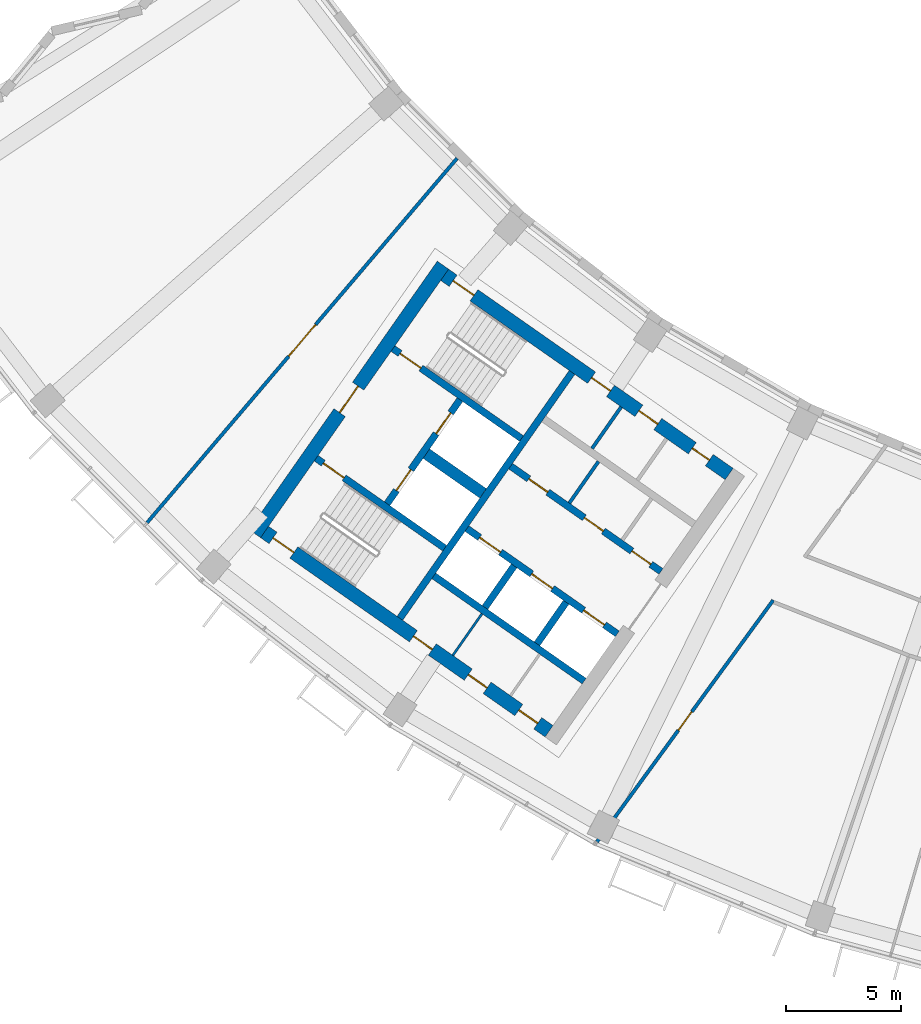
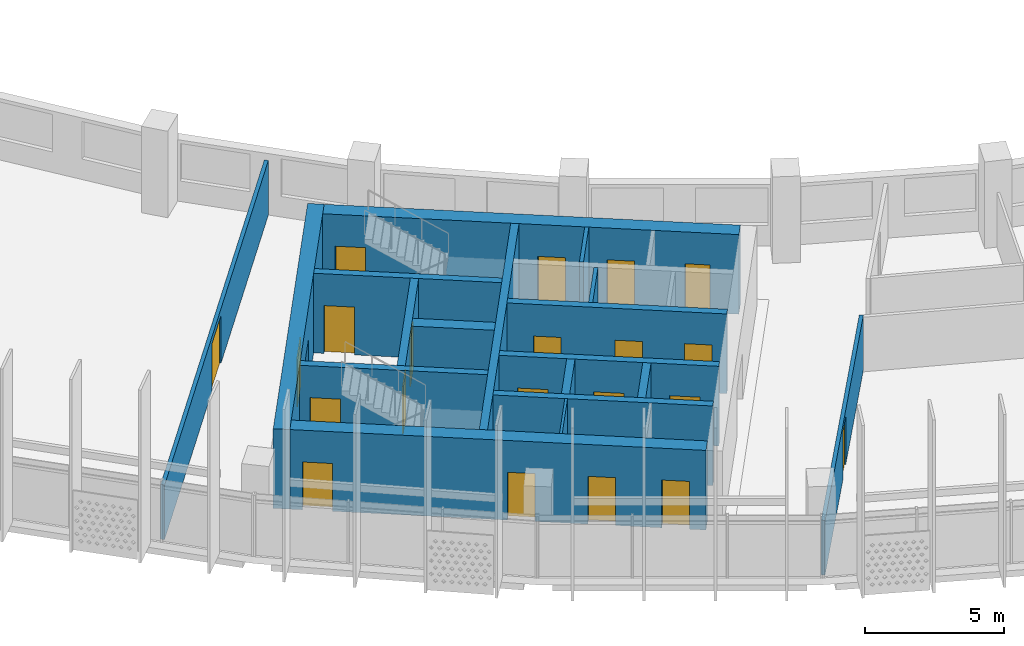
# One storey, part 3 of 28: 21 doors, 18 walls, 21 openings.
"""IFC4 building model written with IfcOpenShell, lengths in metres."""

from ifc_helpers import new_model, si_unit, direction, frame, frame_2d, origin, place, context, subcontext, project, spatial, rectangle, extrude, material, layer, layer_set, type_object, element, fill, save


model = new_model("IFC4")

# Units and contexts
model_context = context("Model", 3, precision=1e-05, world=origin(), true_north=direction((0.0, 1.0)))
body_context = subcontext(model_context, "Body", "Model", "MODEL_VIEW")
ifc_project = project(units=[si_unit("LENGTHUNIT", "METRE"), si_unit("AREAUNIT", "SQUARE_METRE"), si_unit("VOLUMEUNIT", "CUBIC_METRE"), si_unit("PLANEANGLEUNIT", "RADIAN"), si_unit("MASSUNIT", "GRAM", prefix="KILO")], contexts=[model_context])

# Site, building, storey
site_placement = place(None, origin())
site = spatial("IfcSite", under=ifc_project, at=site_placement, CompositionType="ELEMENT")
building_placement = place(site_placement, origin())
building = spatial("IfcBuilding", under=site, at=building_placement, Name="Qamariyya Broadcast Tower", CompositionType="ELEMENT")
storey_placement = place(building_placement, frame((0.0, 0.0, 218.89990234375)))
storey = spatial("IfcBuildingStorey", under=building, at=storey_placement, Name="L52", CompositionType="ELEMENT", Elevation=218.89990234375)

# Wall, opening, door
ifc_material_1 = material(Name="Concrete C60/75", Category="concrete")
ifc_layer_1 = layer(ifc_material_1, 0.60009765625)
ifc_layer_set_1 = layer_set([ifc_layer_1], Name="Core wall 600 mm Concrete C60/75")
wall_type_1 = type_object("IfcWallType", Name="Core wall 600 mm Concrete C60/75", PredefinedType="SHEAR", material=ifc_layer_set_1)
wall_1_placement = place(storey_placement, frame((-49.4833984375, -57.031494140625, 0.0), z_axis=(0.0, 0.0, 1.0), x_axis=(0.573560421458, 0.819163257805, 0.0)))
wall_1 = element("IfcWall", 1, at=wall_1_placement, inside=storey, type_object=wall_type_1, Name="k-W-L52-WH", PredefinedType="SHEAR", context=body_context, shape_type="SweptSolid", body=[
    extrude(rectangle(XDim=14.199951171875, YDim=0.60009765625, at=frame_2d((7.10009765625, 0.0))), origin(), (0.0, 0.0, 1.0), 3.5),
])
opening_1_placement = place(wall_1_placement, frame((6.39990234375, 0.0, 0.0)))
opening_1 = element("IfcOpeningElement", 2, at=opening_1_placement, cuts=wall_1, Name="Opening KD2-W1", PredefinedType="OPENING", context=body_context, shape_type="SweptSolid", body=[
    extrude(rectangle(XDim=1.39990234375, YDim=2.10009765625, at=frame_2d((0.699951171875, 1.050048828125))), frame((0.0, 0.31005859375, 0.0), z_axis=(0.0, -1.0, 0.0), x_axis=(1.0, 0.0, 0.0)), (0.0, 0.0, 1.0), 0.6201171875),
])
ifc_material_2 = material(Name="Steel fire-resisting door leaf", Category="steel")
door_type_1 = type_object("IfcDoorType", Name="Fire-fighting lobby door KD2", OperationType="DOUBLE_DOOR_SINGLE_SWING", PredefinedType="DOOR", material=ifc_material_2)
door_1_placement = place(opening_1_placement, origin())
door_1 = element("IfcDoor", 3, at=door_1_placement, inside=storey, type_object=door_type_1, Name="k-W-L52-WH-D16", OperationType="DOUBLE_DOOR_SINGLE_SWING", OverallHeight=2.10009765625, OverallWidth=1.39990234375, PredefinedType="DOOR", context=body_context, shape_type="SweptSolid", body=[
    extrude(rectangle(XDim=1.39990234375, YDim=2.10009765625, at=frame_2d((0.699951171875, 1.050048828125))), frame((0.0, 0.02490234375, 0.0), z_axis=(0.0, -1.0, 0.0), x_axis=(1.0, 0.0, 0.0)), (0.0, 0.0, 1.0), 0.050048828125),
])
fill(opening_1, door_1)

# Wall, openings, doors
wall_2_placement = place(storey_placement, frame((-28.940673828125, -54.447021484375, 0.0), z_axis=(0.0, 0.0, 1.0), x_axis=(-0.819153391756, 0.573574511963, 0.0)))
wall_2 = element("IfcWall", 4, at=wall_2_placement, inside=storey, type_object=wall_type_1, Name="k-W-L52-WI", PredefinedType="SHEAR", context=body_context, shape_type="SweptSolid", body=[
    extrude(rectangle(XDim=15.04541015625, YDim=0.60009765625, at=frame_2d((7.522705078125, 0.0))), origin(), (0.0, 0.0, 1.0), 3.5),
])
opening_2_placement = place(wall_2_placement, frame((1.050048828125, 0.0, 0.0)))
opening_2 = element("IfcOpeningElement", 5, at=opening_2_placement, cuts=wall_2, Name="Opening KD5-W1", PredefinedType="OPENING", context=body_context, shape_type="SweptSolid", body=[
    extrude(rectangle(XDim=0.89990234375, YDim=2.10009765625, at=frame_2d((0.449951171875, 1.050048828125))), frame((0.0, 0.31005859375, 0.0), z_axis=(0.0, -1.0, 0.0), x_axis=(1.0, 0.0, 0.0)), (0.0, 0.0, 1.0), 0.6201171875),
])
opening_3_placement = place(wall_2_placement, frame((3.77490234375, 0.0, 0.0)))
opening_3 = element("IfcOpeningElement", 6, at=opening_3_placement, cuts=wall_2, Name="Opening KD7-W1", PredefinedType="OPENING", context=body_context, shape_type="SweptSolid", body=[
    extrude(rectangle(XDim=1.0, YDim=2.10009765625, at=frame_2d((0.5, 1.050048828125))), frame((0.0, 0.31005859375, 0.0), z_axis=(0.0, -1.0, 0.0), x_axis=(1.0, 0.0, 0.0)), (0.0, 0.0, 1.0), 0.6201171875),
])
opening_4_placement = place(wall_2_placement, frame((6.27490234375, 0.0, 0.0)))
opening_4 = element("IfcOpeningElement", 7, at=opening_4_placement, cuts=wall_2, Name="Opening KD6-W3", PredefinedType="OPENING", context=body_context, shape_type="SweptSolid", body=[
    extrude(rectangle(XDim=1.0, YDim=2.10009765625, at=frame_2d((0.5, 1.050048828125))), frame((0.0, 0.31005859375, 0.0), z_axis=(0.0, -1.0, 0.0), x_axis=(1.0, 0.0, 0.0)), (0.0, 0.0, 1.0), 0.6201171875),
])
opening_5_placement = place(wall_2_placement, frame((13.495361328125, 0.0, 0.0)))
opening_5 = element("IfcOpeningElement", 8, at=opening_5_placement, cuts=wall_2, Name="Opening KD1-W1", PredefinedType="OPENING", context=body_context, shape_type="SweptSolid", body=[
    extrude(rectangle(XDim=1.10009765625, YDim=2.10009765625, at=frame_2d((0.550048828125, 1.050048828125))), frame((0.0, 0.31005859375, 0.0), z_axis=(0.0, -1.0, 0.0), x_axis=(1.0, 0.0, 0.0)), (0.0, 0.0, 1.0), 0.6201171875),
])
door_type_2 = type_object("IfcDoorType", Name="Accessible toilet door KD7", OperationType="SINGLE_SWING_LEFT", PredefinedType="DOOR", material=ifc_material_2)
door_2_placement = place(opening_3_placement, origin())
door_2 = element("IfcDoor", 9, at=door_2_placement, inside=storey, type_object=door_type_2, Name="k-W-L52-WI-D9", OperationType="SINGLE_SWING_RIGHT", OverallHeight=2.10009765625, OverallWidth=1.0, PredefinedType="DOOR", context=body_context, shape_type="SweptSolid", body=[
    extrude(rectangle(XDim=1.0, YDim=2.10009765625, at=frame_2d((0.5, 1.050048828125))), frame((0.0, 0.02490234375, 0.0), z_axis=(0.0, -1.0, 0.0), x_axis=(1.0, 0.0, 0.0)), (0.0, 0.0, 1.0), 0.050048828125),
])
fill(opening_3, door_2)
door_type_3 = type_object("IfcDoorType", Name="Core room door KD6", OperationType="SINGLE_SWING_LEFT", PredefinedType="DOOR", material=ifc_material_2)
door_3_placement = place(opening_4_placement, origin())
door_3 = element("IfcDoor", 10, at=door_3_placement, inside=storey, type_object=door_type_3, Name="k-W-L52-WI-D10", OperationType="SINGLE_SWING_LEFT", OverallHeight=2.10009765625, OverallWidth=1.0, PredefinedType="DOOR", context=body_context, shape_type="SweptSolid", body=[
    extrude(rectangle(XDim=1.0, YDim=2.10009765625, at=frame_2d((0.5, 1.050048828125))), frame((0.0, 0.02490234375, 0.0), z_axis=(0.0, -1.0, 0.0), x_axis=(1.0, 0.0, 0.0)), (0.0, 0.0, 1.0), 0.050048828125),
])
fill(opening_4, door_3)
door_type_4 = type_object("IfcDoorType", Name="Stair door KD1", OperationType="SINGLE_SWING_LEFT", PredefinedType="DOOR", material=ifc_material_2)
door_4_placement = place(opening_5_placement, origin())
door_4 = element("IfcDoor", 11, at=door_4_placement, inside=storey, type_object=door_type_4, Name="k-W-L52-WI-D17", OperationType="SINGLE_SWING_RIGHT", OverallHeight=2.10009765625, OverallWidth=1.10009765625, PredefinedType="DOOR", context=body_context, shape_type="SweptSolid", body=[
    extrude(rectangle(XDim=1.10009765625, YDim=2.10009765625, at=frame_2d((0.550048828125, 1.050048828125))), frame((0.0, 0.02490234375, 0.0), z_axis=(0.0, -1.0, 0.0), x_axis=(1.0, 0.0, 0.0)), (0.0, 0.0, 1.0), 0.050048828125),
])
fill(opening_5, door_4)
door_type_5 = type_object("IfcDoorType", Name="Toilet door KD5", OperationType="SINGLE_SWING_LEFT", PredefinedType="DOOR", material=ifc_material_2)
door_5_placement = place(opening_2_placement, origin())
door_5 = element("IfcDoor", 12, at=door_5_placement, inside=storey, type_object=door_type_5, Name="k-W-L52-WI-D8", OperationType="SINGLE_SWING_LEFT", OverallHeight=2.10009765625, OverallWidth=0.89990234375, PredefinedType="DOOR", context=body_context, shape_type="SweptSolid", body=[
    extrude(rectangle(XDim=0.89990234375, YDim=2.10009765625, at=frame_2d((0.449951171875, 1.050048828125))), frame((0.0, 0.02490234375, 0.0), z_axis=(0.0, -1.0, 0.0), x_axis=(1.0, 0.0, 0.0)), (0.0, 0.0, 1.0), 0.050048828125),
])
fill(opening_2, door_5)

wall_3_placement = place(storey_placement, frame((-36.7412109375, -65.58740234375, 0.0), z_axis=(0.0, 0.0, 1.0), x_axis=(-0.819153391756, 0.573574511963, 0.0)))
wall_3 = element("IfcWall", 13, at=wall_3_placement, inside=storey, type_object=wall_type_1, Name="k-W-L52-WO", PredefinedType="SHEAR", context=body_context, shape_type="SweptSolid", body=[
    extrude(rectangle(XDim=15.04541015625, YDim=0.60009765625, at=frame_2d((7.522705078125, 0.0))), origin(), (0.0, 0.0, 1.0), 3.5),
])
opening_6_placement = place(wall_3_placement, frame((0.60009765625, 0.0, 0.0)))
opening_6 = element("IfcOpeningElement", 14, at=opening_6_placement, cuts=wall_3, Name="Opening KD4-W2", PredefinedType="OPENING", context=body_context, shape_type="SweptSolid", body=[
    extrude(rectangle(XDim=1.0, YDim=2.10009765625, at=frame_2d((0.5, 1.050048828125))), frame((0.0, 0.31005859375, 0.0), z_axis=(0.0, -1.0, 0.0), x_axis=(1.0, 0.0, 0.0)), (0.0, 0.0, 1.0), 0.6201171875),
])
opening_7_placement = place(wall_3_placement, frame((3.27490234375, 0.0, 0.0)))
opening_7 = element("IfcOpeningElement", 15, at=opening_7_placement, cuts=wall_3, Name="Opening KD4-W3", PredefinedType="OPENING", context=body_context, shape_type="SweptSolid", body=[
    extrude(rectangle(XDim=1.0, YDim=2.10009765625, at=frame_2d((0.5, 1.050048828125))), frame((0.0, 0.31005859375, 0.0), z_axis=(0.0, -1.0, 0.0), x_axis=(1.0, 0.0, 0.0)), (0.0, 0.0, 1.0), 0.6201171875),
])
opening_8_placement = place(wall_3_placement, frame((6.175048828125, 0.0, 0.0)))
opening_8 = element("IfcOpeningElement", 16, at=opening_8_placement, cuts=wall_3, Name="Opening KD4-W4", PredefinedType="OPENING", context=body_context, shape_type="SweptSolid", body=[
    extrude(rectangle(XDim=1.0, YDim=2.10009765625, at=frame_2d((0.5, 1.050048828125))), frame((0.0, 0.31005859375, 0.0), z_axis=(0.0, -1.0, 0.0), x_axis=(1.0, 0.0, 0.0)), (0.0, 0.0, 1.0), 0.6201171875),
])
opening_9_placement = place(wall_3_placement, frame((13.495361328125, 0.0, 0.0)))
opening_9 = element("IfcOpeningElement", 17, at=opening_9_placement, cuts=wall_3, Name="Opening KD1-W3", PredefinedType="OPENING", context=body_context, shape_type="SweptSolid", body=[
    extrude(rectangle(XDim=1.10009765625, YDim=2.10009765625, at=frame_2d((0.550048828125, 1.050048828125))), frame((0.0, 0.31005859375, 0.0), z_axis=(0.0, -1.0, 0.0), x_axis=(1.0, 0.0, 0.0)), (0.0, 0.0, 1.0), 0.6201171875),
])
door_type_6 = type_object("IfcDoorType", Name="Riser and plant door KD4", OperationType="SINGLE_SWING_LEFT", PredefinedType="DOOR", material=ifc_material_2)
door_6_placement = place(opening_6_placement, origin())
door_6 = element("IfcDoor", 18, at=door_6_placement, inside=storey, type_object=door_type_6, Name="k-W-L52-WO-D11", OperationType="SINGLE_SWING_RIGHT", OverallHeight=2.10009765625, OverallWidth=1.0, PredefinedType="DOOR", context=body_context, shape_type="SweptSolid", body=[
    extrude(rectangle(XDim=1.0, YDim=2.10009765625, at=frame_2d((0.5, 1.050048828125))), frame((0.0, 0.02490234375, 0.0), z_axis=(0.0, -1.0, 0.0), x_axis=(1.0, 0.0, 0.0)), (0.0, 0.0, 1.0), 0.050048828125),
])
fill(opening_6, door_6)
door_7_placement = place(opening_7_placement, origin())
door_7 = element("IfcDoor", 19, at=door_7_placement, inside=storey, type_object=door_type_6, Name="k-W-L52-WO-D12", OperationType="SINGLE_SWING_LEFT", OverallHeight=2.10009765625, OverallWidth=1.0, PredefinedType="DOOR", context=body_context, shape_type="SweptSolid", body=[
    extrude(rectangle(XDim=1.0, YDim=2.10009765625, at=frame_2d((0.5, 1.050048828125))), frame((0.0, 0.02490234375, 0.0), z_axis=(0.0, -1.0, 0.0), x_axis=(1.0, 0.0, 0.0)), (0.0, 0.0, 1.0), 0.050048828125),
])
fill(opening_7, door_7)
door_8_placement = place(opening_8_placement, origin())
door_8 = element("IfcDoor", 20, at=door_8_placement, inside=storey, type_object=door_type_6, Name="k-W-L52-WO-D13", OperationType="SINGLE_SWING_RIGHT", OverallHeight=2.10009765625, OverallWidth=1.0, PredefinedType="DOOR", context=body_context, shape_type="SweptSolid", body=[
    extrude(rectangle(XDim=1.0, YDim=2.10009765625, at=frame_2d((0.5, 1.050048828125))), frame((0.0, 0.02490234375, 0.0), z_axis=(0.0, -1.0, 0.0), x_axis=(1.0, 0.0, 0.0)), (0.0, 0.0, 1.0), 0.050048828125),
])
fill(opening_8, door_8)
door_9_placement = place(opening_9_placement, origin())
door_9 = element("IfcDoor", 21, at=door_9_placement, inside=storey, type_object=door_type_4, Name="k-W-L52-WO-D19", OperationType="SINGLE_SWING_LEFT", OverallHeight=2.10009765625, OverallWidth=1.10009765625, PredefinedType="DOOR", context=body_context, shape_type="SweptSolid", body=[
    extrude(rectangle(XDim=1.10009765625, YDim=2.10009765625, at=frame_2d((0.550048828125, 1.050048828125))), frame((0.0, 0.02490234375, 0.0), z_axis=(0.0, -1.0, 0.0), x_axis=(1.0, 0.0, 0.0)), (0.0, 0.0, 1.0), 0.050048828125),
])
fill(opening_9, door_9)

# Wall, opening, door
ifc_material_3 = material(Name="Gypsum board partition")
ifc_layer_2 = layer(ifc_material_3, 0.14990234375)
ifc_layer_set_2 = layer_set([ifc_layer_2], Name="Corridor partition 150 EI 60")
wall_type_2 = type_object("IfcWallType", Name="Corridor partition 150 EI 60", PredefinedType="PARTITIONING", material=ifc_layer_set_2)
wall_4_placement = place(storey_placement, frame((-54.15283203125, -56.554931640625, 0.0), z_axis=(0.0, 0.0, 1.0), x_axis=(0.647962636986, 0.761672121762, 0.0)))
wall_4 = element("IfcWall", 22, at=wall_4_placement, inside=storey, type_object=wall_type_2, Name="Partition L52-001", PredefinedType="PARTITIONING", context=body_context, shape_type="SweptSolid", body=[
    extrude(rectangle(XDim=20.723388671875, YDim=0.14990234375, at=frame_2d((10.36181640625, 0.0))), origin(), (0.0, 0.0, 1.0), 2.400146484375),
])
opening_10_placement = place(wall_4_placement, frame((9.461669921875, 0.0, 0.0)))
opening_10 = element("IfcOpeningElement", 23, at=opening_10_placement, cuts=wall_4, Name="Opening L52-D15", PredefinedType="OPENING", context=body_context, shape_type="SweptSolid", body=[
    extrude(rectangle(XDim=1.800048828125, YDim=2.10009765625, at=frame_2d((0.89990234375, 1.050048828125))), frame((0.0, 0.0849609375, 0.0), z_axis=(0.0, -1.0, 0.0), x_axis=(1.0, 0.0, 0.0)), (0.0, 0.0, 1.0), 0.169921875),
])
ifc_material_4 = material(Name="Timber fire door leaf", Category="wood")
door_type_7 = type_object("IfcDoorType", Name="Double fire door 1800 x 2100 FD60", OperationType="NOTDEFINED", PredefinedType="DOOR", material=ifc_material_4)
door_10_placement = place(opening_10_placement, origin())
door_10 = element("IfcDoor", 24, at=door_10_placement, inside=storey, type_object=door_type_7, Name="Door L52-D15", OperationType="DOUBLE_DOOR_SINGLE_SWING", OverallHeight=2.10009765625, OverallWidth=1.800048828125, PredefinedType="DOOR", context=body_context, shape_type="SweptSolid", body=[
    extrude(rectangle(XDim=1.800048828125, YDim=2.10009765625, at=frame_2d((0.89990234375, 1.050048828125))), frame((0.0, 0.02490234375, 0.0), z_axis=(0.0, -1.0, 0.0), x_axis=(1.0, 0.0, 0.0)), (0.0, 0.0, 1.0), 0.050048828125),
])
fill(opening_10, door_10)

wall_5_placement = place(storey_placement, frame((-27.033447265625, -59.90966796875, 0.0), z_axis=(0.0, 0.0, 1.0), x_axis=(-0.589273648147, -0.807933516819, 0.0)))
wall_5 = element("IfcWall", 25, at=wall_5_placement, inside=storey, type_object=wall_type_2, Name="Partition L52-002", PredefinedType="PARTITIONING", context=body_context, shape_type="SweptSolid", body=[
    extrude(rectangle(XDim=12.956298828125, YDim=0.14990234375, at=frame_2d((6.47802734375, 0.0))), origin(), (0.0, 0.0, 1.0), 2.400146484375),
])
opening_11_placement = place(wall_5_placement, frame((5.97802734375, 0.0, 0.0)))
opening_11 = element("IfcOpeningElement", 26, at=opening_11_placement, cuts=wall_5, Name="Opening L52-D01", PredefinedType="OPENING", context=body_context, shape_type="SweptSolid", body=[
    extrude(rectangle(XDim=1.0, YDim=2.10009765625, at=frame_2d((0.5, 1.050048828125))), frame((0.0, 0.0849609375, 0.0), z_axis=(0.0, -1.0, 0.0), x_axis=(1.0, 0.0, 0.0)), (0.0, 0.0, 1.0), 0.169921875),
])
door_type_8 = type_object("IfcDoorType", Name="Fire door 1000 x 2100 FD60", OperationType="NOTDEFINED", PredefinedType="DOOR", material=ifc_material_4)
door_11_placement = place(opening_11_placement, origin())
door_11 = element("IfcDoor", 27, at=door_11_placement, inside=storey, type_object=door_type_8, Name="Door L52-D01", OperationType="SINGLE_SWING_RIGHT", OverallHeight=2.10009765625, OverallWidth=1.0, PredefinedType="DOOR", context=body_context, shape_type="SweptSolid", body=[
    extrude(rectangle(XDim=1.0, YDim=2.10009765625, at=frame_2d((0.5, 1.050048828125))), frame((0.0, 0.02490234375, 0.0), z_axis=(0.0, -1.0, 0.0), x_axis=(1.0, 0.0, 0.0)), (0.0, 0.0, 1.0), 0.050048828125),
])
fill(opening_11, door_11)

# Walls
ifc_layer_3 = layer(ifc_material_1, 0.5)
ifc_layer_set_3 = layer_set([ifc_layer_3], Name="Fire-fighting lobby divider wall 500 mm Concrete C60/75")
wall_type_3 = type_object("IfcWallType", Name="Fire-fighting lobby divider wall 500 mm Concrete C60/75", PredefinedType="SOLIDWALL", material=ifc_layer_set_3)
wall_6_placement = place(storey_placement, frame((-39.59912109375, -55.28515625, 0.0), z_axis=(0.0, 0.0, 1.0), x_axis=(-0.819136323161, 0.573598887793, 0.0)))
element("IfcWall", 28, at=wall_6_placement, inside=storey, type_object=wall_type_3, Name="k-W-L52-FD", PredefinedType="SOLIDWALL", context=body_context, shape_type="SweptSolid", body=[
    extrude(rectangle(XDim=2.999755859375, YDim=0.5, at=frame_2d((1.5, 0.0))), origin(), (0.0, 0.0, 1.0), 3.5),
])
ifc_material_5 = material(Name="Gypsum board partition on steel studs", Category="steel")
ifc_layer_4 = layer(ifc_material_5, 0.14990234375)
ifc_layer_set_4 = layer_set([ifc_layer_4], Name="Gypsum board partition 150 mm")
wall_type_4 = type_object("IfcWallType", Name="Gypsum board partition 150 mm", PredefinedType="PARTITIONING", material=ifc_layer_set_4)
wall_7_placement = place(storey_placement, frame((-35.86328125, -55.70361328125, 0.0), z_axis=(0.0, 0.0, 1.0), x_axis=(0.573507030513, 0.819200638399, 0.0)))
element("IfcWall", 29, at=wall_7_placement, inside=storey, type_object=wall_type_4, Name="k-W-L52-NC495", PredefinedType="PARTITIONING", context=body_context, shape_type="SweptSolid", body=[
    extrude(rectangle(XDim=2.199951171875, YDim=0.14990234375, at=frame_2d((1.10009765625, 0.0))), origin(), (0.0, 0.0, 1.0), 3.5),
])
wall_8_placement = place(storey_placement, frame((-34.8798828125, -53.340087890625, 0.0), z_axis=(0.0, 0.0, 1.0), x_axis=(0.573559170999, 0.819164133348, 0.0)))
element("IfcWall", 30, at=wall_8_placement, inside=storey, type_object=wall_type_4, Name="k-W-L52-NP550", PredefinedType="PARTITIONING", context=body_context, shape_type="SweptSolid", body=[
    extrude(rectangle(XDim=2.19970703125, YDim=0.14990234375, at=frame_2d((1.099853515625, 0.0))), origin(), (0.0, 0.0, 1.0), 3.5),
])
ifc_layer_5 = layer(ifc_material_1, 0.300048828125)
ifc_layer_set_5 = layer_set([ifc_layer_5], Name="Lift shaft wall 300 mm Concrete C60/75")
wall_type_5 = type_object("IfcWallType", Name="Lift shaft wall 300 mm Concrete C60/75", PredefinedType="SOLIDWALL", material=ifc_layer_set_5)
wall_9_placement = place(storey_placement, frame((-43.204345703125, -60.69580078125, 0.0), z_axis=(0.0, 0.0, 1.0), x_axis=(0.573571992966, 0.819155155563, 0.0)))
element("IfcWall", 31, at=wall_9_placement, inside=storey, type_object=wall_type_5, Name="k-W-L52-WL", PredefinedType="SOLIDWALL", context=body_context, shape_type="SweptSolid", body=[
    extrude(rectangle(XDim=13.000244140625, YDim=0.300048828125, at=frame_2d((6.5, 0.0))), origin(), (0.0, 0.0, 1.0), 3.5),
])

# Wall, openings, doors
wall_10_placement = place(storey_placement, frame((-31.89453125, -58.66552734375, 0.0), z_axis=(0.0, 0.0, 1.0), x_axis=(-0.819166993208, 0.573555086491, 0.0)))
wall_10 = element("IfcWall", 32, at=wall_10_placement, inside=storey, type_object=wall_type_5, Name="k-W-L52-NF0", PredefinedType="SOLIDWALL", context=body_context, shape_type="SweptSolid", body=[
    extrude(rectangle(XDim=7.9501953125, YDim=0.300048828125, at=frame_2d((3.97509765625, 0.0))), origin(), (0.0, 0.0, 1.0), 3.5),
])
opening_12_placement = place(wall_10_placement, frame((0.53759765625, 0.0, 0.0)))
opening_12 = element("IfcOpeningElement", 33, at=opening_12_placement, cuts=wall_10, Name="Opening KD6-W1", PredefinedType="OPENING", context=body_context, shape_type="SweptSolid", body=[
    extrude(rectangle(XDim=1.0, YDim=2.10009765625, at=frame_2d((0.5, 1.050048828125))), frame((0.0, 0.159912109375, 0.0), z_axis=(0.0, -1.0, 0.0), x_axis=(1.0, 0.0, 0.0)), (0.0, 0.0, 1.0), 0.320068359375),
])
opening_13_placement = place(wall_10_placement, frame((3.050048828125, 0.0, 0.0)))
opening_13 = element("IfcOpeningElement", 34, at=opening_13_placement, cuts=wall_10, Name="Opening KD6-W2", PredefinedType="OPENING", context=body_context, shape_type="SweptSolid", body=[
    extrude(rectangle(XDim=1.0, YDim=2.10009765625, at=frame_2d((0.5, 1.050048828125))), frame((0.0, 0.159912109375, 0.0), z_axis=(0.0, -1.0, 0.0), x_axis=(1.0, 0.0, 0.0)), (0.0, 0.0, 1.0), 0.320068359375),
])
opening_14_placement = place(wall_10_placement, frame((5.987548828125, 0.0, 0.0)))
opening_14 = element("IfcOpeningElement", 35, at=opening_14_placement, cuts=wall_10, Name="Opening KD4-W1", PredefinedType="OPENING", context=body_context, shape_type="SweptSolid", body=[
    extrude(rectangle(XDim=1.0, YDim=2.10009765625, at=frame_2d((0.5, 1.050048828125))), frame((0.0, 0.159912109375, 0.0), z_axis=(0.0, -1.0, 0.0), x_axis=(1.0, 0.0, 0.0)), (0.0, 0.0, 1.0), 0.320068359375),
])
door_12_placement = place(opening_12_placement, origin())
door_12 = element("IfcDoor", 36, at=door_12_placement, inside=storey, type_object=door_type_3, Name="k-W-L52-NF0-D2", OperationType="SINGLE_SWING_LEFT", OverallHeight=2.10009765625, OverallWidth=1.0, PredefinedType="DOOR", context=body_context, shape_type="SweptSolid", body=[
    extrude(rectangle(XDim=1.0, YDim=2.10009765625, at=frame_2d((0.5, 1.050048828125))), frame((0.0, 0.02490234375, 0.0), z_axis=(0.0, -1.0, 0.0), x_axis=(1.0, 0.0, 0.0)), (0.0, 0.0, 1.0), 0.050048828125),
])
fill(opening_12, door_12)
door_13_placement = place(opening_13_placement, origin())
door_13 = element("IfcDoor", 37, at=door_13_placement, inside=storey, type_object=door_type_3, Name="k-W-L52-NF0-D3", OperationType="SINGLE_SWING_RIGHT", OverallHeight=2.10009765625, OverallWidth=1.0, PredefinedType="DOOR", context=body_context, shape_type="SweptSolid", body=[
    extrude(rectangle(XDim=1.0, YDim=2.10009765625, at=frame_2d((0.5, 1.050048828125))), frame((0.0, 0.02490234375, 0.0), z_axis=(0.0, -1.0, 0.0), x_axis=(1.0, 0.0, 0.0)), (0.0, 0.0, 1.0), 0.050048828125),
])
fill(opening_13, door_13)
door_14_placement = place(opening_14_placement, origin())
door_14 = element("IfcDoor", 38, at=door_14_placement, inside=storey, type_object=door_type_6, Name="k-W-L52-NF0-D4", OperationType="SINGLE_SWING_LEFT", OverallHeight=2.10009765625, OverallWidth=1.0, PredefinedType="DOOR", context=body_context, shape_type="SweptSolid", body=[
    extrude(rectangle(XDim=1.0, YDim=2.10009765625, at=frame_2d((0.5, 1.050048828125))), frame((0.0, 0.02490234375, 0.0), z_axis=(0.0, -1.0, 0.0), x_axis=(1.0, 0.0, 0.0)), (0.0, 0.0, 1.0), 0.050048828125),
])
fill(opening_14, door_14)

wall_11_placement = place(storey_placement, frame((-33.787353515625, -61.368896484375, 0.0), z_axis=(0.0, 0.0, 1.0), x_axis=(-0.819152564888, 0.573575692858, 0.0)))
wall_11 = element("IfcWall", 39, at=wall_11_placement, inside=storey, type_object=wall_type_5, Name="k-W-L52-SF0", PredefinedType="SOLIDWALL", context=body_context, shape_type="SweptSolid", body=[
    extrude(rectangle(XDim=7.9501953125, YDim=0.300048828125, at=frame_2d((3.97509765625, 0.0))), origin(), (0.0, 0.0, 1.0), 3.5),
])
opening_15_placement = place(wall_11_placement, frame((0.675048828125, 0.0, 0.0)))
opening_15 = element("IfcOpeningElement", 40, at=opening_15_placement, cuts=wall_11, Name="Opening LD", PredefinedType="OPENING", context=body_context, shape_type="SweptSolid", body=[
    extrude(rectangle(XDim=1.10009765625, YDim=2.10009765625, at=frame_2d((0.550048828125, 1.050048828125))), frame((0.0, 0.159912109375, 0.0), z_axis=(0.0, -1.0, 0.0), x_axis=(1.0, 0.0, 0.0)), (0.0, 0.0, 1.0), 0.320068359375),
])
opening_16_placement = place(wall_11_placement, frame((3.425048828125, 0.0, 0.0)))
opening_16 = element("IfcOpeningElement", 41, at=opening_16_placement, cuts=wall_11, Name="Opening LD", PredefinedType="OPENING", context=body_context, shape_type="SweptSolid", body=[
    extrude(rectangle(XDim=1.10009765625, YDim=2.10009765625, at=frame_2d((0.550048828125, 1.050048828125))), frame((0.0, 0.159912109375, 0.0), z_axis=(0.0, -1.0, 0.0), x_axis=(1.0, 0.0, 0.0)), (0.0, 0.0, 1.0), 0.320068359375),
])
opening_17_placement = place(wall_11_placement, frame((6.175048828125, 0.0, 0.0)))
opening_17 = element("IfcOpeningElement", 42, at=opening_17_placement, cuts=wall_11, Name="Opening LD", PredefinedType="OPENING", context=body_context, shape_type="SweptSolid", body=[
    extrude(rectangle(XDim=1.10009765625, YDim=2.10009765625, at=frame_2d((0.550048828125, 1.050048828125))), frame((0.0, 0.159912109375, 0.0), z_axis=(0.0, -1.0, 0.0), x_axis=(1.0, 0.0, 0.0)), (0.0, 0.0, 1.0), 0.320068359375),
])
door_type_9 = type_object("IfcDoorType", Name="Lift landing door LD", OperationType="DOUBLE_DOOR_SLIDING", PredefinedType="DOOR", material=ifc_material_2)
door_15_placement = place(opening_15_placement, origin())
door_15 = element("IfcDoor", 43, at=door_15_placement, inside=storey, type_object=door_type_9, Name="k-W-L52-SF0-D5", OperationType="DOUBLE_DOOR_SLIDING", OverallHeight=2.10009765625, OverallWidth=1.10009765625, PredefinedType="DOOR", context=body_context, shape_type="SweptSolid", body=[
    extrude(rectangle(XDim=1.10009765625, YDim=2.10009765625, at=frame_2d((0.550048828125, 1.050048828125))), frame((0.0, 0.02490234375, 0.0), z_axis=(0.0, -1.0, 0.0), x_axis=(1.0, 0.0, 0.0)), (0.0, 0.0, 1.0), 0.050048828125),
])
fill(opening_15, door_15)
door_16_placement = place(opening_16_placement, origin())
door_16 = element("IfcDoor", 44, at=door_16_placement, inside=storey, type_object=door_type_9, Name="k-W-L52-SF0-D6", OperationType="DOUBLE_DOOR_SLIDING", OverallHeight=2.10009765625, OverallWidth=1.10009765625, PredefinedType="DOOR", context=body_context, shape_type="SweptSolid", body=[
    extrude(rectangle(XDim=1.10009765625, YDim=2.10009765625, at=frame_2d((0.550048828125, 1.050048828125))), frame((0.0, 0.02490234375, 0.0), z_axis=(0.0, -1.0, 0.0), x_axis=(1.0, 0.0, 0.0)), (0.0, 0.0, 1.0), 0.050048828125),
])
fill(opening_16, door_16)
door_17_placement = place(opening_17_placement, origin())
door_17 = element("IfcDoor", 45, at=door_17_placement, inside=storey, type_object=door_type_9, Name="k-W-L52-SF0-D7", OperationType="DOUBLE_DOOR_SLIDING", OverallHeight=2.10009765625, OverallWidth=1.10009765625, PredefinedType="DOOR", context=body_context, shape_type="SweptSolid", body=[
    extrude(rectangle(XDim=1.10009765625, YDim=2.10009765625, at=frame_2d((0.550048828125, 1.050048828125))), frame((0.0, 0.02490234375, 0.0), z_axis=(0.0, -1.0, 0.0), x_axis=(1.0, 0.0, 0.0)), (0.0, 0.0, 1.0), 0.050048828125),
])
fill(opening_17, door_17)

# Walls
wall_12_placement = place(storey_placement, frame((-35.22119140625, -63.41650390625, 0.0), z_axis=(0.0, 0.0, 1.0), x_axis=(-0.819166993208, 0.573555086491, 0.0)))
element("IfcWall", 46, at=wall_12_placement, inside=storey, type_object=wall_type_5, Name="k-W-L52-SB0", PredefinedType="SOLIDWALL", context=body_context, shape_type="SweptSolid", body=[
    extrude(rectangle(XDim=7.9501953125, YDim=0.300048828125, at=frame_2d((3.97509765625, 0.0))), origin(), (0.0, 0.0, 1.0), 3.5),
])
wall_13_placement = place(storey_placement, frame((-36.003173828125, -60.000244140625, 0.0), z_axis=(0.0, 0.0, 1.0), x_axis=(-0.573581496053, -0.819148501424, 0.0)))
element("IfcWall", 47, at=wall_13_placement, inside=storey, type_object=wall_type_5, Name="k-W-L52-SD0", PredefinedType="SOLIDWALL", context=body_context, shape_type="SweptSolid", body=[
    extrude(rectangle(XDim=2.2001953125, YDim=0.300048828125, at=frame_2d((1.10009765625, 0.0))), origin(), (0.0, 0.0, 1.0), 3.5),
])
wall_14_placement = place(storey_placement, frame((-38.255859375, -58.423095703125, 0.0), z_axis=(0.0, 0.0, 1.0), x_axis=(-0.573633636671, -0.819111989218, 0.0)))
element("IfcWall", 48, at=wall_14_placement, inside=storey, type_object=wall_type_5, Name="k-W-L52-SD1", PredefinedType="SOLIDWALL", context=body_context, shape_type="SweptSolid", body=[
    extrude(rectangle(XDim=2.199951171875, YDim=0.300048828125, at=frame_2d((1.10009765625, 0.0))), origin(), (0.0, 0.0, 1.0), 3.5),
])

# Wall, opening, door
wall_15_placement = place(storey_placement, frame((-37.935546875, -52.90966796875, 0.0), z_axis=(0.0, 0.0, 1.0), x_axis=(-0.819147518138, 0.57358290031, 0.0)))
wall_15 = element("IfcWall", 49, at=wall_15_placement, inside=storey, type_object=wall_type_5, Name="k-W-L52-NW", PredefinedType="SOLIDWALL", context=body_context, shape_type="SweptSolid", body=[
    extrude(rectangle(XDim=6.79541015625, YDim=0.300048828125, at=frame_2d((3.397705078125, 0.0))), origin(), (0.0, 0.0, 1.0), 3.5),
])
opening_18_placement = place(wall_15_placement, frame((5.3203125, 0.0, 0.0)))
opening_18 = element("IfcOpeningElement", 50, at=opening_18_placement, cuts=wall_15, Name="Opening KD1-W2", PredefinedType="OPENING", context=body_context, shape_type="SweptSolid", body=[
    extrude(rectangle(XDim=1.10009765625, YDim=2.10009765625, at=frame_2d((0.550048828125, 1.050048828125))), frame((0.0, 0.159912109375, 0.0), z_axis=(0.0, -1.0, 0.0), x_axis=(1.0, 0.0, 0.0)), (0.0, 0.0, 1.0), 0.320068359375),
])
door_18_placement = place(opening_18_placement, origin())
door_18 = element("IfcDoor", 51, at=door_18_placement, inside=storey, type_object=door_type_4, Name="k-W-L52-NW-D18", OperationType="SINGLE_SWING_LEFT", OverallHeight=2.10009765625, OverallWidth=1.10009765625, PredefinedType="DOOR", context=body_context, shape_type="SweptSolid", body=[
    extrude(rectangle(XDim=1.10009765625, YDim=2.10009765625, at=frame_2d((0.550048828125, 1.050048828125))), frame((0.0, 0.02490234375, 0.0), z_axis=(0.0, -1.0, 0.0), x_axis=(1.0, 0.0, 0.0)), (0.0, 0.0, 1.0), 0.050048828125),
])
fill(opening_18, door_18)

wall_16_placement = place(storey_placement, frame((-41.262451171875, -57.66064453125, 0.0), z_axis=(0.0, 0.0, 1.0), x_axis=(-0.819164398642, 0.573558792102, 0.0)))
wall_16 = element("IfcWall", 52, at=wall_16_placement, inside=storey, type_object=wall_type_5, Name="k-W-L52-SW", PredefinedType="SOLIDWALL", context=body_context, shape_type="SweptSolid", body=[
    extrude(rectangle(XDim=6.795166015625, YDim=0.300048828125, at=frame_2d((3.3974609375, 0.0))), origin(), (0.0, 0.0, 1.0), 3.5),
])
opening_19_placement = place(wall_16_placement, frame((5.3203125, 0.0, 0.0)))
opening_19 = element("IfcOpeningElement", 53, at=opening_19_placement, cuts=wall_16, Name="Opening KD1-W4", PredefinedType="OPENING", context=body_context, shape_type="SweptSolid", body=[
    extrude(rectangle(XDim=1.10009765625, YDim=2.10009765625, at=frame_2d((0.550048828125, 1.050048828125))), frame((0.0, 0.159912109375, 0.0), z_axis=(0.0, -1.0, 0.0), x_axis=(1.0, 0.0, 0.0)), (0.0, 0.0, 1.0), 0.320068359375),
])
door_19_placement = place(opening_19_placement, origin())
door_19 = element("IfcDoor", 54, at=door_19_placement, inside=storey, type_object=door_type_4, Name="k-W-L52-SW-D20", OperationType="SINGLE_SWING_LEFT", OverallHeight=2.10009765625, OverallWidth=1.10009765625, PredefinedType="DOOR", context=body_context, shape_type="SweptSolid", body=[
    extrude(rectangle(XDim=1.10009765625, YDim=2.10009765625, at=frame_2d((0.550048828125, 1.050048828125))), frame((0.0, 0.02490234375, 0.0), z_axis=(0.0, -1.0, 0.0), x_axis=(1.0, 0.0, 0.0)), (0.0, 0.0, 1.0), 0.050048828125),
])
fill(opening_19, door_19)

# Wall, openings, doors
wall_17_placement = place(storey_placement, frame((-43.756591796875, -55.731201171875, 0.0), z_axis=(0.0, 0.0, 1.0), x_axis=(0.573536818435, 0.819179783625, 0.0)))
wall_17 = element("IfcWall", 55, at=wall_17_placement, inside=storey, type_object=wall_type_5, Name="k-W-L52-FF", PredefinedType="SOLIDWALL", context=body_context, shape_type="SweptSolid", body=[
    extrude(rectangle(XDim=5.500244140625, YDim=0.300048828125, at=frame_2d((2.75, 0.0))), origin(), (0.0, 0.0, 1.0), 3.5),
])
opening_20_placement = place(wall_17_placement, frame((0.699951171875, 0.0, 0.0)))
opening_20 = element("IfcOpeningElement", 56, at=opening_20_placement, cuts=wall_17, Name="Opening LD", PredefinedType="OPENING", context=body_context, shape_type="SweptSolid", body=[
    extrude(rectangle(XDim=1.10009765625, YDim=2.10009765625, at=frame_2d((0.550048828125, 1.050048828125))), frame((0.0, 0.159912109375, 0.0), z_axis=(0.0, -1.0, 0.0), x_axis=(1.0, 0.0, 0.0)), (0.0, 0.0, 1.0), 0.320068359375),
])
opening_21_placement = place(wall_17_placement, frame((3.699951171875, 0.0, 0.0)))
opening_21 = element("IfcOpeningElement", 57, at=opening_21_placement, cuts=wall_17, Name="Opening LD", PredefinedType="OPENING", context=body_context, shape_type="SweptSolid", body=[
    extrude(rectangle(XDim=1.10009765625, YDim=2.10009765625, at=frame_2d((0.550048828125, 1.050048828125))), frame((0.0, 0.159912109375, 0.0), z_axis=(0.0, -1.0, 0.0), x_axis=(1.0, 0.0, 0.0)), (0.0, 0.0, 1.0), 0.320068359375),
])
door_20_placement = place(opening_20_placement, origin())
door_20 = element("IfcDoor", 58, at=door_20_placement, inside=storey, type_object=door_type_9, Name="k-W-L52-FF-D14", OperationType="DOUBLE_DOOR_SLIDING", OverallHeight=2.10009765625, OverallWidth=1.10009765625, PredefinedType="DOOR", context=body_context, shape_type="SweptSolid", body=[
    extrude(rectangle(XDim=1.10009765625, YDim=2.10009765625, at=frame_2d((0.550048828125, 1.050048828125))), frame((0.0, 0.02490234375, 0.0), z_axis=(0.0, -1.0, 0.0), x_axis=(1.0, 0.0, 0.0)), (0.0, 0.0, 1.0), 0.050048828125),
])
fill(opening_20, door_20)
door_21_placement = place(opening_21_placement, origin())
door_21 = element("IfcDoor", 59, at=door_21_placement, inside=storey, type_object=door_type_9, Name="k-W-L52-FF-D15", OperationType="DOUBLE_DOOR_SLIDING", OverallHeight=2.10009765625, OverallWidth=1.10009765625, PredefinedType="DOOR", context=body_context, shape_type="SweptSolid", body=[
    extrude(rectangle(XDim=1.10009765625, YDim=2.10009765625, at=frame_2d((0.550048828125, 1.050048828125))), frame((0.0, 0.02490234375, 0.0), z_axis=(0.0, -1.0, 0.0), x_axis=(1.0, 0.0, 0.0)), (0.0, 0.0, 1.0), 0.050048828125),
])
fill(opening_21, door_21)

# Wall
ifc_material_6 = material(Name="Fire-rated gypsum shaft liner on steel studs", Category="steel")
ifc_layer_6 = layer(ifc_material_6, 0.10009765625)
ifc_layer_set_6 = layer_set([ifc_layer_6], Name="Riser wall 100 mm")
wall_type_6 = type_object("IfcWallType", Name="Riser wall 100 mm", PredefinedType="PLUMBINGWALL", material=ifc_layer_set_6)
wall_18_placement = place(storey_placement, frame((-39.64892578125, -60.49951171875, 0.0), z_axis=(0.0, 0.0, 1.0), x_axis=(-0.573507030513, -0.819200638399, 0.0)))
element("IfcWall", 60, at=wall_18_placement, inside=storey, type_object=wall_type_6, Name="k-W-L52-SP530", PredefinedType="PLUMBINGWALL", context=body_context, shape_type="SweptSolid", body=[
    extrude(rectangle(XDim=2.199951171875, YDim=0.10009765625, at=frame_2d((1.10009765625, 0.0))), origin(), (0.0, 0.0, 1.0), 3.5),
])

save(model, "model.ifc")
